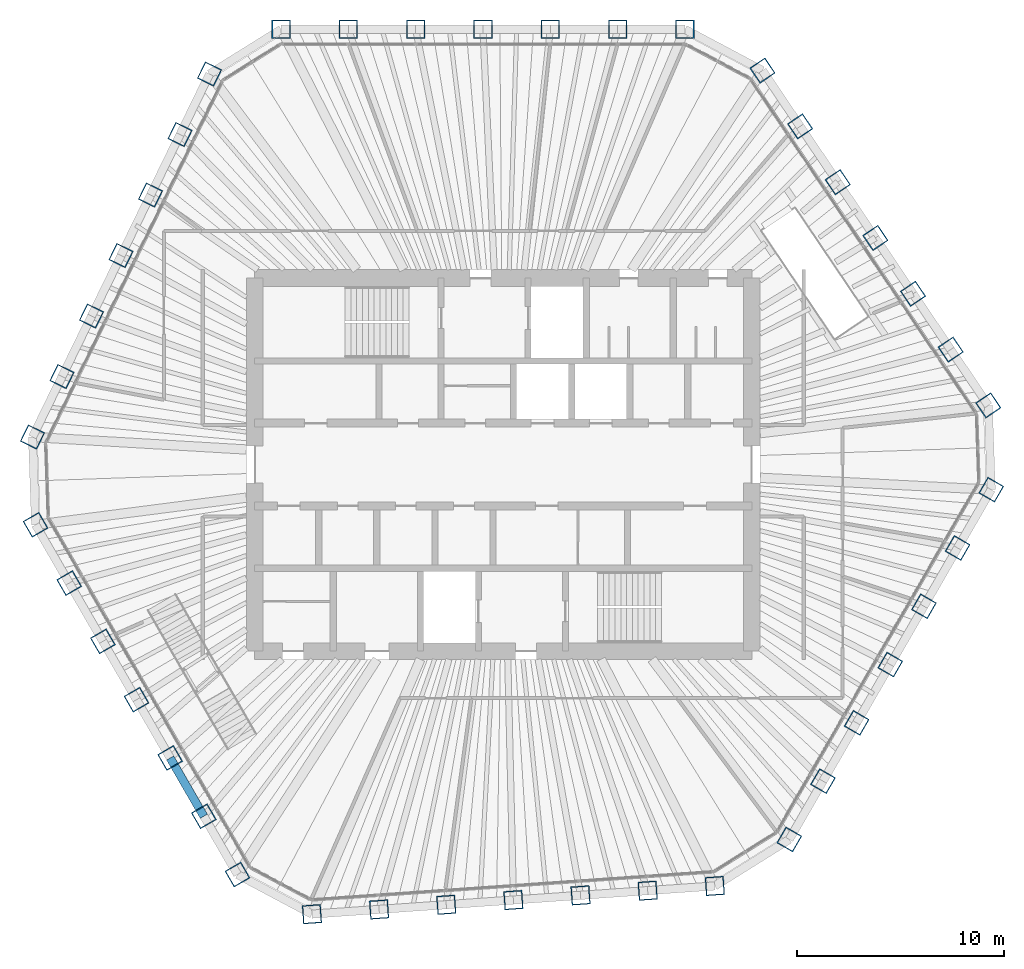
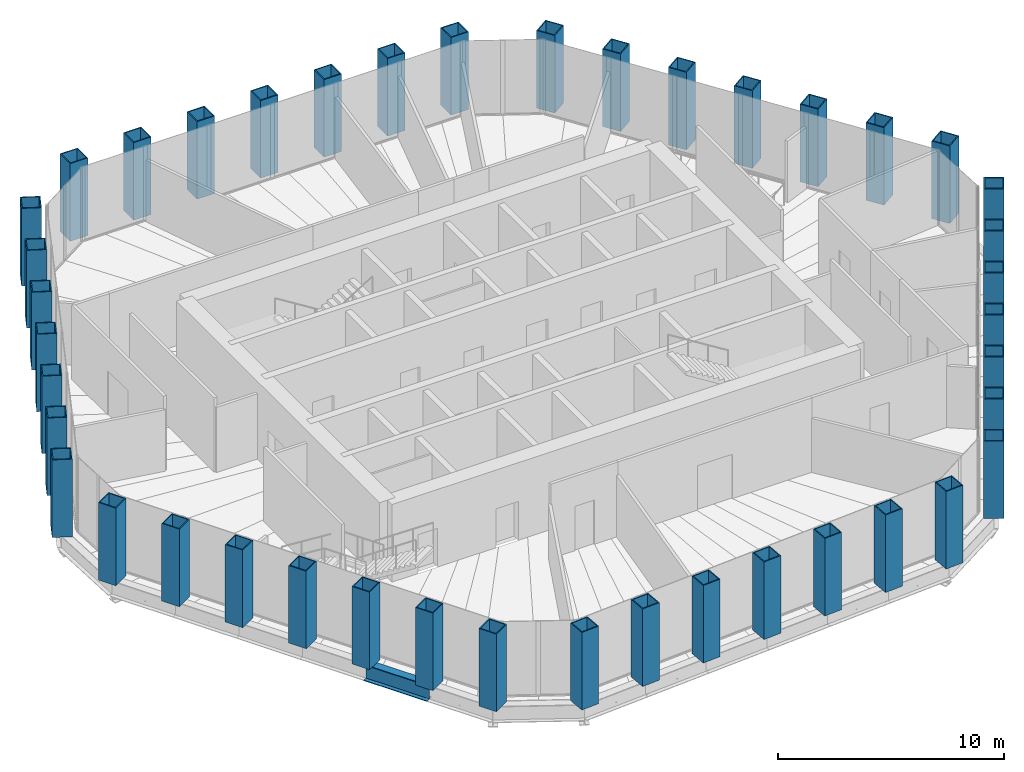
# One storey, part 1 of 17: 42 columns, 1 beam.
"""IFC4 building model written with IfcOpenShell, lengths in metres."""

from ifc_helpers import new_model, si_unit, direction, frame, origin, origin_2d, place, context, subcontext, project, spatial, hollow_rectangle, i_section, extrude, material, material_profile, profile_set, type_object, element, save


model = new_model("IFC4")

# Units and contexts
model_context = context("Model", 3, precision=1e-05, world=origin(), true_north=direction((0.0, 1.0)))
body_context = subcontext(model_context, "Body", "Model", "MODEL_VIEW")
ifc_project = project(units=[si_unit("LENGTHUNIT", "METRE"), si_unit("AREAUNIT", "SQUARE_METRE"), si_unit("VOLUMEUNIT", "CUBIC_METRE"), si_unit("PLANEANGLEUNIT", "RADIAN"), si_unit("MASSUNIT", "GRAM", prefix="KILO")], contexts=[model_context])

# Site, building, storey
site_placement = place(None, origin())
site = spatial("IfcSite", under=ifc_project, at=site_placement, CompositionType="ELEMENT")
building_placement = place(site_placement, origin())
building = spatial("IfcBuilding", under=site, at=building_placement, Name="Qingtian Harvest Tower", CompositionType="ELEMENT")
storey_placement = place(building_placement, frame((0.0, 0.0, 329.199951171875)))
storey = spatial("IfcBuildingStorey", under=building, at=storey_placement, Name="L73", CompositionType="ELEMENT", Elevation=329.199951171875)

# Columns
ifc_material_1 = material(Name="Steel SM570MC", Category="steel")
ifc_material_profile_1 = material_profile(ifc_material_1, hollow_rectangle(XDim=0.89990234375, YDim=0.89990234375, WallThickness=0.050048828125, at=origin_2d()), Name="BOX900x900x50")
ifc_profile_set_1 = profile_set([ifc_material_profile_1], Name="Steel SM570MC")
column_type = type_object("IfcColumnType", Name="Tube column TC8 BOX900x900x50", PredefinedType="COLUMN", material=ifc_profile_set_1)
for number, where, z_axis, x_axis, name in (
    (1, (-10.72216796875, 21.0, 0.0), (0.0, 0.0, 1.0), (-1.0, 0.0, 0.0), "Tube column TC8 N0"),
    (2, (-7.47412109375, 21.0, 0.0), (0.0, 0.0, 1.0), (-1.0, 0.0, 0.0), "Tube column TC8 N1"),
    (3, (-4.226318359375, 21.0, 0.0), (0.0, 0.0, 1.0), (-1.0, 0.0, 0.0), "Tube column TC8 N2"),
    (4, (-0.978271484375, 21.0, 0.0), (0.0, 0.0, 1.0), (-1.0, 0.0, 0.0), "Tube column TC8 N3"),
    (5, (2.269775390625, 21.0, 0.0), (0.0, 0.0, 1.0), (-1.0, 0.0, 0.0), "Tube column TC8 N4"),
    (6, (5.517822265625, 21.0, 0.0), (0.0, 0.0, 1.0), (-1.0, 0.0, 0.0), "Tube column TC8 N5"),
    (7, (8.765869140625, 21.0, 0.0), (0.0, 0.0, 1.0), (-1.0, 0.0, 0.0), "Tube column TC8 N6"),
    (8, (12.508056640625, 19.01025390625, 0.0), (0.0, 0.0, 1.0), (-0.559192903471, 0.829037572555, 0.0), "Tube column TC8 NE0"),
    (9, (14.32421875, 16.317626953125, 0.0), (0.0, 0.0, 1.0), (-0.559192903471, 0.829037572555, 0.0), "Tube column TC8 NE1"),
    (10, (16.140625, 13.624755859375, 0.0), (0.0, 0.0, 1.0), (-0.559192903471, 0.829037572555, 0.0), "Tube column TC8 NE2"),
    (11, (17.956787109375, 10.93212890625, 0.0), (0.0, 0.0, 1.0), (-0.559192903471, 0.829037572555, 0.0), "Tube column TC8 NE3"),
    (12, (19.77294921875, 8.2392578125, 0.0), (0.0, 0.0, 1.0), (-0.559192903471, 0.829037572555, 0.0), "Tube column TC8 NE4"),
    (13, (21.58935546875, 5.546630859375, 0.0), (0.0, 0.0, 1.0), (-0.559192903471, 0.829037572555, 0.0), "Tube column TC8 NE5"),
    (14, (23.405517578125, 2.85400390625, 0.0), (0.0, 0.0, 1.0), (-0.559192903471, 0.829037572555, 0.0), "Tube column TC8 NE6"),
    (15, (23.547607421875, -1.21435546875, 0.0), (0.0, 0.0, 1.0), (0.5, 0.866025403784, 0.0), "Tube column TC8 SE0"),
    (16, (21.923583984375, -4.027099609375, 0.0), (0.0, 0.0, 1.0), (0.5, 0.866025403784, 0.0), "Tube column TC8 SE1"),
    (17, (20.299560546875, -6.840087890625, 0.0), (0.0, 0.0, 1.0), (0.5, 0.866025403784, 0.0), "Tube column TC8 SE2"),
    (18, (18.675537109375, -9.65283203125, 0.0), (0.0, 0.0, 1.0), (0.5, 0.866025403784, 0.0), "Tube column TC8 SE3"),
    (19, (17.051513671875, -12.4658203125, 0.0), (0.0, 0.0, 1.0), (0.5, 0.866025403784, 0.0), "Tube column TC8 SE4"),
    (20, (15.427490234375, -15.278564453125, 0.0), (0.0, 0.0, 1.0), (0.5, 0.866025403784, 0.0), "Tube column TC8 SE5"),
    (21, (13.803466796875, -18.091552734375, 0.0), (0.0, 0.0, 1.0), (0.5, 0.866025403784, 0.0), "Tube column TC8 SE6"),
    (22, (10.20947265625, -20.33740234375, 0.0), (0.0, 0.0, 1.0), (0.99756405026, 0.069756473744, 0.0), "Tube column TC8 S0"),
    (23, (6.96923828125, -20.56396484375, 0.0), (0.0, 0.0, 1.0), (0.99756405026, 0.069756473744, 0.0), "Tube column TC8 S1"),
    (24, (3.729248046875, -20.79052734375, 0.0), (0.0, 0.0, 1.0), (0.99756405026, 0.069756473744, 0.0), "Tube column TC8 S2"),
    (25, (0.489013671875, -21.01708984375, 0.0), (0.0, 0.0, 1.0), (0.99756405026, 0.069756473744, 0.0), "Tube column TC8 S3"),
    (26, (-2.7509765625, -21.24365234375, 0.0), (0.0, 0.0, 1.0), (0.99756405026, 0.069756473744, 0.0), "Tube column TC8 S4"),
    (27, (-5.9912109375, -21.47021484375, 0.0), (0.0, 0.0, 1.0), (0.99756405026, 0.069756473744, 0.0), "Tube column TC8 S5"),
    (28, (-9.231201171875, -21.69677734375, 0.0), (0.0, 0.0, 1.0), (0.99756405026, 0.069756473744, 0.0), "Tube column TC8 S6"),
    (29, (-12.825439453125, -19.78564453125, 0.0), (0.0, 0.0, 1.0), (0.5, -0.866025403784, 0.0), "Tube column TC8 SW0"),
    (30, (-14.449462890625, -16.972900390625, 0.0), (0.0, 0.0, 1.0), (0.5, -0.866025403784, 0.0), "Tube column TC8 SW1"),
    (31, (-16.073486328125, -14.159912109375, 0.0), (0.0, 0.0, 1.0), (0.5, -0.866025403784, 0.0), "Tube column TC8 SW2"),
    (32, (-17.697509765625, -11.34716796875, 0.0), (0.0, 0.0, 1.0), (0.5, -0.866025403784, 0.0), "Tube column TC8 SW3"),
    (33, (-19.321533203125, -8.5341796875, 0.0), (0.0, 0.0, 1.0), (0.5, -0.866025403784, 0.0), "Tube column TC8 SW4"),
    (34, (-20.945556640625, -5.721435546875, 0.0), (0.0, 0.0, 1.0), (0.5, -0.866025403784, 0.0), "Tube column TC8 SW5"),
    (35, (-22.569580078125, -2.908447265625, 0.0), (0.0, 0.0, 1.0), (0.5, -0.866025403784, 0.0), "Tube column TC8 SW6"),
    (36, (-22.71728515625, 1.3271484375, 0.0), (0.0, 0.0, 1.0), (-0.438371146789, -0.898794046299, 0.0), "Tube column TC8 NW0"),
    (37, (-21.29345703125, 4.246337890625, 0.0), (0.0, 0.0, 1.0), (-0.438371146789, -0.898794046299, 0.0), "Tube column TC8 NW1"),
    (38, (-19.86962890625, 7.165771484375, 0.0), (0.0, 0.0, 1.0), (-0.438371146789, -0.898794046299, 0.0), "Tube column TC8 NW2"),
    (39, (-18.44580078125, 10.0849609375, 0.0), (0.0, 0.0, 1.0), (-0.438371146789, -0.898794046299, 0.0), "Tube column TC8 NW3"),
    (40, (-17.02197265625, 13.00439453125, 0.0), (0.0, 0.0, 1.0), (-0.438371146789, -0.898794046299, 0.0), "Tube column TC8 NW4"),
    (41, (-15.59814453125, 15.923583984375, 0.0), (0.0, 0.0, 1.0), (-0.438371146789, -0.898794046299, 0.0), "Tube column TC8 NW5"),
    (42, (-14.17431640625, 18.8427734375, 0.0), (0.0, 0.0, 1.0), (-0.438371146789, -0.898794046299, 0.0), "Tube column TC8 NW6"),
):
    element("IfcColumn", number, at=place(storey_placement, frame(where, z_axis=z_axis, x_axis=x_axis)), inside=storey, type_object=column_type, Name=name, PredefinedType="COLUMN", context=body_context, shape_type="SweptSolid", body=[
        extrude(hollow_rectangle(XDim=0.89990234375, YDim=0.89990234375, WallThickness=0.050048828125, at=origin_2d()), origin(), (0.0, 0.0, 1.0), 4.199951171875),
    ])

# Beam
ifc_material_2 = material(Name="Steel SN490B", Category="steel")
ifc_material_profile_2 = material_profile(ifc_material_2, i_section(OverallWidth=0.39990234375, OverallDepth=0.89990234375, WebThickness=0.01904296875, FlangeThickness=0.035888671875, at=origin_2d()), Name="H900x400x19x36")
ifc_profile_set_2 = profile_set([ifc_material_profile_2], Name="Steel SN490B")
beam_type = type_object("IfcBeamType", Name="Spandrel beam SB4 H900x400x19x36", PredefinedType="SPANDREL", material=ifc_profile_set_2)
beam_placement = place(storey_placement, frame((-14.449462890625, -16.972900390625, -0.449951171875), z_axis=(-0.499987045439, 0.866032882975, 0.0), x_axis=(-0.866032882975, -0.499987045439, 0.0)))
element("IfcBeam", 43, at=beam_placement, inside=storey, type_object=beam_type, Name="Spandrel SB4 SW1", PredefinedType="SPANDREL", context=body_context, shape_type="SweptSolid", body=[
    extrude(i_section(OverallWidth=0.39990234375, OverallDepth=0.89990234375, WebThickness=0.01904296875, FlangeThickness=0.035888671875, at=origin_2d()), origin(), (0.0, 0.0, 1.0), 3.248046875),
])

save(model, "model.ifc")
